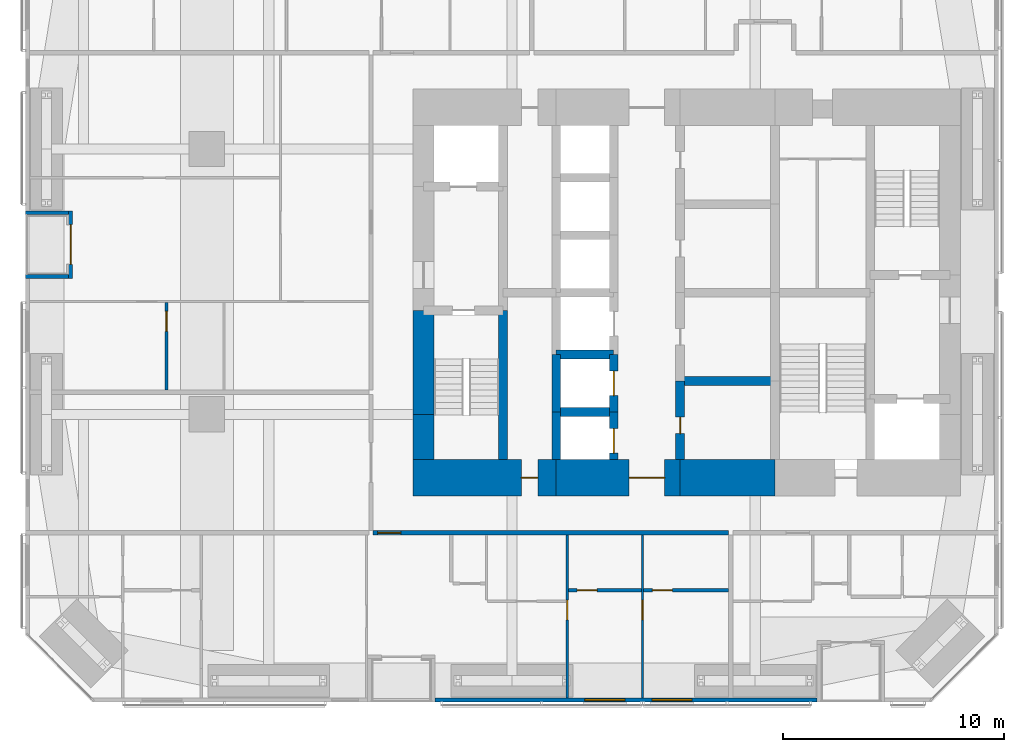
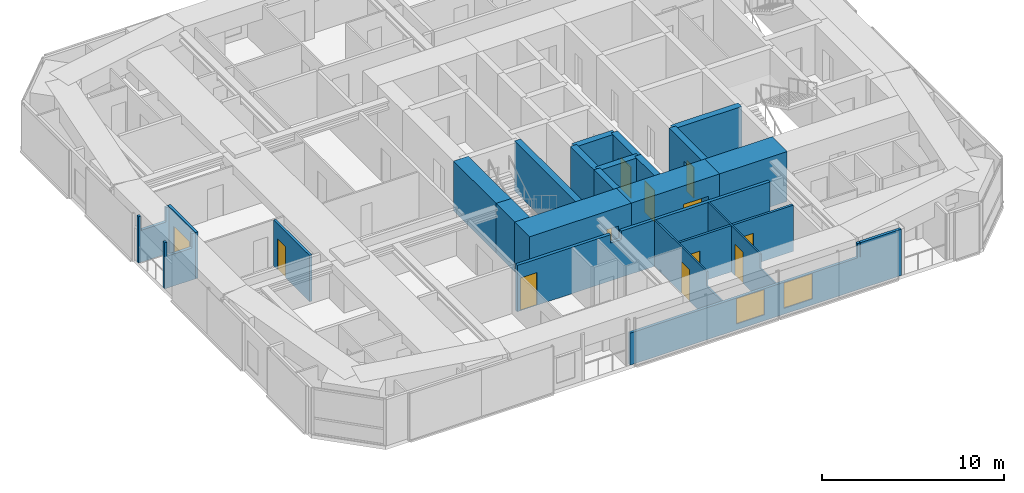
# One storey, part 16 of 22: 24 walls, 12 doors, 2 windows, 14 openings.
"""IFC4 building model written with IfcOpenShell, lengths in metres."""

from ifc_helpers import new_model, si_unit, direction, frame, frame_2d, origin, place, context, subcontext, project, spatial, polyline, rectangle, outline, extrude, material, layer, layer_set, constituent, constituent_set, type_object, element, fill, save


model = new_model("IFC4")

# Units and contexts
model_context = context("Model", 3, precision=1e-05, world=origin(), true_north=direction((0.0, 1.0)))
body_context = subcontext(model_context, "Body", "Model", "MODEL_VIEW")
ifc_project = project(units=[si_unit("LENGTHUNIT", "METRE"), si_unit("AREAUNIT", "SQUARE_METRE"), si_unit("VOLUMEUNIT", "CUBIC_METRE"), si_unit("PLANEANGLEUNIT", "RADIAN"), si_unit("MASSUNIT", "GRAM", prefix="KILO")], contexts=[model_context])

# Site, building, storey
site_placement = place(None, origin())
site = spatial("IfcSite", under=ifc_project, at=site_placement, CompositionType="ELEMENT")
building_placement = place(site_placement, origin())
building = spatial("IfcBuilding", under=site, at=building_placement, Name="Jalousie Tower", CompositionType="ELEMENT")
storey_placement = place(building_placement, frame((0.0, 0.0, 64.550048828125)))
storey = spatial("IfcBuildingStorey", under=building, at=storey_placement, Name="L17", CompositionType="ELEMENT", Elevation=64.550048828125)

# Wall, opening, door
ifc_material_1 = material(Name="Concrete block ASTM C90", Category="concrete")
ifc_constituent_1 = constituent(ifc_material_1, Name="Body")
ifc_material_2 = material(Name="Render")
ifc_constituent_2 = constituent(ifc_material_2, Name="Finish")
ifc_constituent_set_1 = constituent_set(constituents=[ifc_constituent_1, ifc_constituent_2])
wall_type_1 = type_object("IfcWallType", Name="BATHROOM WALL 150", PredefinedType="PLUMBINGWALL", material=ifc_constituent_set_1)
wall_1_placement = place(storey_placement, frame((26.550048828125, 5.050048828125, 0.0), z_axis=(0.0, 0.0, 1.0), x_axis=(1.0, 0.0, 0.0)))
wall_1 = element("IfcWall", 1, at=wall_1_placement, inside=storey, type_object=wall_type_1, Name="Bathroom Wall 150 L17", PredefinedType="PLUMBINGWALL", context=body_context, shape_type="SweptSolid", body=[
    extrude(rectangle(XDim=3.300048828125, YDim=0.14990234375, at=frame_2d((1.64990234375, 0.0))), origin(), (0.0, 0.0, 1.0), 3.10986328125),
])
opening_1_placement = place(wall_1_placement, frame((0.39990234375, 0.0, 0.0)))
opening_1 = element("IfcOpeningElement", 2, at=opening_1_placement, cuts=wall_1, Name="Opening D3", PredefinedType="OPENING", context=body_context, shape_type="SweptSolid", body=[
    extrude(rectangle(XDim=0.89990234375, YDim=2.10009765625, at=frame_2d((0.449951171875, 1.050048828125))), frame((0.0, 0.0849609375, 0.0), z_axis=(0.0, -1.0, 0.0), x_axis=(1.0, 0.0, 0.0)), (0.0, 0.0, 1.0), 0.169921875),
])
ifc_material_3 = material(Name="Timber door", Category="wood")
door_type_1 = type_object("IfcDoorType", Name="BATHROOM DOOR 900", OperationType="SINGLE_SWING_LEFT", PredefinedType="DOOR", material=ifc_material_3)
door_1_placement = place(opening_1_placement, origin())
door_1 = element("IfcDoor", 3, at=door_1_placement, inside=storey, type_object=door_type_1, Name="Apartment 1701 bedroom 3 bathroom door", OperationType="SINGLE_SWING_LEFT", OverallHeight=2.10009765625, OverallWidth=0.89990234375, PredefinedType="DOOR", context=body_context, shape_type="SweptSolid", body=[
    extrude(rectangle(XDim=0.89990234375, YDim=2.10009765625, at=frame_2d((0.449951171875, 1.050048828125))), frame((0.0, 0.02490234375, 0.0), z_axis=(0.0, -1.0, 0.0), x_axis=(1.0, 0.0, 0.0)), (0.0, 0.0, 1.0), 0.050048828125),
])
fill(opening_1, door_1)

wall_2_placement = place(storey_placement, frame((29.949951171875, 5.050048828125, 0.0), z_axis=(0.0, 0.0, 1.0), x_axis=(1.0, 0.0, 0.0)))
wall_2 = element("IfcWall", 4, at=wall_2_placement, inside=storey, type_object=wall_type_1, Name="Bathroom Wall 150 L17", PredefinedType="PLUMBINGWALL", context=body_context, shape_type="SweptSolid", body=[
    extrude(rectangle(XDim=3.85009765625, YDim=0.14990234375, at=frame_2d((1.925048828125, 0.0))), origin(), (0.0, 0.0, 1.0), 3.10986328125),
])
opening_2_placement = place(wall_2_placement, frame((0.39990234375, 0.0, 0.0)))
opening_2 = element("IfcOpeningElement", 5, at=opening_2_placement, cuts=wall_2, Name="Opening D3", PredefinedType="OPENING", context=body_context, shape_type="SweptSolid", body=[
    extrude(rectangle(XDim=0.89990234375, YDim=2.10009765625, at=frame_2d((0.449951171875, 1.050048828125))), frame((0.0, 0.0849609375, 0.0), z_axis=(0.0, -1.0, 0.0), x_axis=(1.0, 0.0, 0.0)), (0.0, 0.0, 1.0), 0.169921875),
])
door_2_placement = place(opening_2_placement, origin())
door_2 = element("IfcDoor", 6, at=door_2_placement, inside=storey, type_object=door_type_1, Name="Apartment 1701 bedroom 4 bathroom door", OperationType="SINGLE_SWING_LEFT", OverallHeight=2.10009765625, OverallWidth=0.89990234375, PredefinedType="DOOR", context=body_context, shape_type="SweptSolid", body=[
    extrude(rectangle(XDim=0.89990234375, YDim=2.10009765625, at=frame_2d((0.449951171875, 1.050048828125))), frame((0.0, 0.02490234375, 0.0), z_axis=(0.0, -1.0, 0.0), x_axis=(1.0, 0.0, 0.0)), (0.0, 0.0, 1.0), 0.050048828125),
])
fill(opening_2, door_2)

wall_3_placement = place(storey_placement, frame((8.375, 14.10009765625, 0.0), z_axis=(0.0, 0.0, 1.0), x_axis=(0.0, 1.0, 0.0)))
wall_3 = element("IfcWall", 7, at=wall_3_placement, inside=storey, type_object=wall_type_1, Name="Bathroom Wall 150 L17", PredefinedType="PLUMBINGWALL", context=body_context, shape_type="SweptSolid", body=[
    extrude(rectangle(XDim=3.949951171875, YDim=0.14990234375, at=frame_2d((1.97509765625, 0.0))), origin(), (0.0, 0.0, 1.0), 3.10986328125),
])
opening_3_placement = place(wall_3_placement, frame((2.64990234375, 0.0, 0.0)))
opening_3 = element("IfcOpeningElement", 8, at=opening_3_placement, cuts=wall_3, Name="Opening D3", PredefinedType="OPENING", context=body_context, shape_type="SweptSolid", body=[
    extrude(rectangle(XDim=0.89990234375, YDim=2.10009765625, at=frame_2d((0.449951171875, 1.050048828125))), frame((0.0, 0.0849609375, 0.0), z_axis=(0.0, -1.0, 0.0), x_axis=(1.0, 0.0, 0.0)), (0.0, 0.0, 1.0), 0.169921875),
])
door_3_placement = place(opening_3_placement, frame((0.89990234375, 0.0, 0.0), z_axis=(0.0, 0.0, 1.0), x_axis=(-1.0, 0.0, 0.0)))
door_3 = element("IfcDoor", 9, at=door_3_placement, inside=storey, type_object=door_type_1, Name="Apartment 1705 bedroom 1 bathroom door", OperationType="SINGLE_SWING_LEFT", OverallHeight=2.10009765625, OverallWidth=0.89990234375, PredefinedType="DOOR", context=body_context, shape_type="SweptSolid", body=[
    extrude(rectangle(XDim=0.89990234375, YDim=2.10009765625, at=frame_2d((0.449951171875, 1.050048828125))), frame((0.0, 0.02490234375, 0.0), z_axis=(0.0, -1.0, 0.0), x_axis=(1.0, 0.0, 0.0)), (0.0, 0.0, 1.0), 0.050048828125),
])
fill(opening_3, door_3)

ifc_material_4 = material(Name="Concrete f'c 120 MPa", Category="concrete")
ifc_layer_1 = layer(ifc_material_4, 1.64990234375)
ifc_layer_set_1 = layer_set([ifc_layer_1], Name="Concrete f'c 120 MPa")
wall_type_2 = type_object("IfcWallType", Name="CORE WALL 1650", PredefinedType="SHEAR", material=ifc_layer_set_1)
wall_4_placement = place(storey_placement, frame((19.52490234375, 10.125, 0.0), z_axis=(0.0, 0.0, 1.0), x_axis=(1.0, 0.0, 0.0)))
wall_4 = element("IfcWall", 10, at=wall_4_placement, inside=storey, type_object=wall_type_2, Name="Core wall SA L17", PredefinedType="SHEAR", context=body_context, shape_type="SweptSolid", body=[
    extrude(rectangle(XDim=6.47509765625, YDim=1.64990234375, at=frame_2d((3.237548828125, 0.0))), origin(), (0.0, 0.0, 1.0), 3.349853515625),
])
opening_4_placement = place(wall_4_placement, frame((4.89990234375, 0.0, 0.0)))
opening_4 = element("IfcOpeningElement", 11, at=opening_4_placement, cuts=wall_4, Name="Opening D16", PredefinedType="OPENING", context=body_context, shape_type="SweptSolid", body=[
    extrude(rectangle(XDim=0.75, YDim=2.10009765625, at=frame_2d((0.375, 1.050048828125))), frame((0.0, 0.8349609375, 0.0), z_axis=(0.0, -1.0, 0.0), x_axis=(1.0, 0.0, 0.0)), (0.0, 0.0, 1.0), 1.669921875),
])
ifc_material_5 = material(Name="Steel fire door", Category="steel")
door_type_2 = type_object("IfcDoorType", Name="RISER DOOR 750", OperationType="SINGLE_SWING_LEFT", PredefinedType="DOOR", material=ifc_material_5)
door_4_placement = place(opening_4_placement, origin())
door_4 = element("IfcDoor", 12, at=door_4_placement, inside=storey, type_object=door_type_2, Name="South riser door", OperationType="SINGLE_SWING_LEFT", OverallHeight=2.10009765625, OverallWidth=0.75, PredefinedType="DOOR", context=body_context, shape_type="SweptSolid", body=[
    extrude(rectangle(XDim=0.75, YDim=2.10009765625, at=frame_2d((0.375, 1.050048828125))), frame((0.0, 0.02490234375, 0.0), z_axis=(0.0, -1.0, 0.0), x_axis=(1.0, 0.0, 0.0)), (0.0, 0.0, 1.0), 0.050048828125),
])
fill(opening_4, door_4)

wall_5_placement = place(storey_placement, frame((26.0, 10.125, 0.0), z_axis=(0.0, 0.0, 1.0), x_axis=(1.0, 0.0, 0.0)))
wall_5 = element("IfcWall", 13, at=wall_5_placement, inside=storey, type_object=wall_type_2, Name="Core wall SB L17", PredefinedType="SHEAR", context=body_context, shape_type="SweptSolid", body=[
    extrude(rectangle(XDim=5.60009765625, YDim=1.64990234375, at=frame_2d((2.800048828125, 0.0))), origin(), (0.0, 0.0, 1.0), 3.349853515625),
])
opening_5_placement = place(wall_5_placement, frame((3.300048828125, 0.0, 0.0)))
opening_5 = element("IfcOpeningElement", 14, at=opening_5_placement, cuts=wall_5, Name="Opening D15", PredefinedType="OPENING", context=body_context, shape_type="SweptSolid", body=[
    extrude(rectangle(XDim=1.60009765625, YDim=2.10009765625, at=frame_2d((0.800048828125, 1.050048828125))), frame((0.0, 0.8349609375, 0.0), z_axis=(0.0, -1.0, 0.0), x_axis=(1.0, 0.0, 0.0)), (0.0, 0.0, 1.0), 1.669921875),
])
ifc_material_6 = material(Name="Steel fire door", Category="steel")
door_type_3 = type_object("IfcDoorType", Name="LIFT LOBBY DOOR 1600", OperationType="DOUBLE_DOOR_SINGLE_SWING", PredefinedType="DOOR", material=ifc_material_6)
door_5_placement = place(opening_5_placement, origin())
door_5 = element("IfcDoor", 15, at=door_5_placement, inside=storey, type_object=door_type_3, Name="Lift lobby south door", OperationType="DOUBLE_DOOR_SINGLE_SWING", OverallHeight=2.10009765625, OverallWidth=1.60009765625, PredefinedType="DOOR", context=body_context, shape_type="SweptSolid", body=[
    extrude(rectangle(XDim=1.60009765625, YDim=2.10009765625, at=frame_2d((0.800048828125, 1.050048828125))), frame((0.0, 0.02490234375, 0.0), z_axis=(0.0, -1.0, 0.0), x_axis=(1.0, 0.0, 0.0)), (0.0, 0.0, 1.0), 0.050048828125),
])
fill(opening_5, door_5)

# Walls
wall_6_placement = place(storey_placement, frame((31.60009765625, 10.125, 0.0), z_axis=(0.0, 0.0, 1.0), x_axis=(1.0, 0.0, 0.0)))
element("IfcWall", 16, at=wall_6_placement, inside=storey, type_object=wall_type_2, Name="Core wall SC L17", PredefinedType="SHEAR", context=body_context, shape_type="SweptSolid", body=[
    extrude(rectangle(XDim=4.2998046875, YDim=1.64990234375, at=frame_2d((2.14990234375, 0.0))), origin(), (0.0, 0.0, 1.0), 3.349853515625),
])
ifc_material_7 = material(Name="Concrete f'c 120 MPa", Category="concrete")
ifc_layer_2 = layer(ifc_material_7, 0.39990234375)
ifc_layer_set_2 = layer_set([ifc_layer_2], Name="Concrete f'c 120 MPa")
wall_type_3 = type_object("IfcWallType", Name="CORE WALL 400", PredefinedType="SHEAR", material=ifc_layer_set_2)
wall_7_placement = place(storey_placement, frame((23.60009765625, 10.949951171875, 0.0), z_axis=(0.0, 0.0, 1.0), x_axis=(0.0, 1.0, 0.0)))
element("IfcWall", 17, at=wall_7_placement, inside=storey, type_object=wall_type_3, Name="Core wall X23.6A L17", PredefinedType="SHEAR", context=body_context, shape_type="SweptSolid", body=[
    extrude(rectangle(XDim=6.75, YDim=0.39990234375, at=frame_2d((3.375, 0.0))), origin(), (0.0, 0.0, 1.0), 3.349853515625),
])
wall_8_placement = place(storey_placement, frame((26.0, 10.949951171875, 0.0), z_axis=(0.0, 0.0, 1.0), x_axis=(0.0, 1.0, 0.0)))
element("IfcWall", 18, at=wall_8_placement, inside=storey, type_object=wall_type_3, Name="Core wall X26A L17", PredefinedType="SHEAR", context=body_context, shape_type="SweptSolid", body=[
    extrude(rectangle(XDim=2.150146484375, YDim=0.39990234375, at=frame_2d((1.0751953125, 0.0))), origin(), (0.0, 0.0, 1.0), 3.349853515625),
])
wall_9_placement = place(storey_placement, frame((26.0, 13.10009765625, 0.0), z_axis=(0.0, 0.0, 1.0), x_axis=(0.0, 1.0, 0.0)))
element("IfcWall", 19, at=wall_9_placement, inside=storey, type_object=wall_type_3, Name="Core wall X26B L17", PredefinedType="SHEAR", context=body_context, shape_type="SweptSolid", body=[
    extrude(rectangle(XDim=2.599853515625, YDim=0.39990234375, at=frame_2d((1.2998046875, 0.0))), origin(), (0.0, 0.0, 1.0), 3.349853515625),
])

# Wall, opening, door
wall_10_placement = place(storey_placement, frame((28.60009765625, 10.949951171875, 0.0), z_axis=(0.0, 0.0, 1.0), x_axis=(0.0, 1.0, 0.0)))
wall_10 = element("IfcWall", 20, at=wall_10_placement, inside=storey, type_object=wall_type_3, Name="Core wall X28.6A L17", PredefinedType="SHEAR", context=body_context, shape_type="SweptSolid", body=[
    extrude(rectangle(XDim=2.150146484375, YDim=0.39990234375, at=frame_2d((1.0751953125, 0.0))), origin(), (0.0, 0.0, 1.0), 3.349853515625),
])
opening_6_placement = place(wall_10_placement, frame((0.300048828125, 0.0, 0.0)))
opening_6 = element("IfcOpeningElement", 21, at=opening_6_placement, cuts=wall_10, Name="Opening LD1", PredefinedType="OPENING", context=body_context, shape_type="SweptSolid", body=[
    extrude(rectangle(XDim=1.10009765625, YDim=2.10009765625, at=frame_2d((0.550048828125, 1.050048828125))), frame((0.0, 0.2099609375, 0.0), z_axis=(0.0, -1.0, 0.0), x_axis=(1.0, 0.0, 0.0)), (0.0, 0.0, 1.0), 0.419921875),
])
ifc_material_8 = material(Name="Steel lift landing door", Category="steel")
door_type_4 = type_object("IfcDoorType", Name="LIFT LANDING DOOR 1100", OperationType="SLIDING_TO_LEFT", PredefinedType="DOOR", material=ifc_material_8)
door_6_placement = place(opening_6_placement, origin())
door_6 = element("IfcDoor", 22, at=door_6_placement, inside=storey, type_object=door_type_4, Name="Lift P1 landing door", OperationType="SLIDING_TO_LEFT", OverallHeight=2.10009765625, OverallWidth=1.10009765625, PredefinedType="DOOR", context=body_context, shape_type="SweptSolid", body=[
    extrude(rectangle(XDim=1.10009765625, YDim=2.10009765625, at=frame_2d((0.550048828125, 1.050048828125))), frame((0.0, 0.02490234375, 0.0), z_axis=(0.0, -1.0, 0.0), x_axis=(1.0, 0.0, 0.0)), (0.0, 0.0, 1.0), 0.050048828125),
])
fill(opening_6, door_6)

wall_11_placement = place(storey_placement, frame((28.60009765625, 13.10009765625, 0.0), z_axis=(0.0, 0.0, 1.0), x_axis=(0.0, 1.0, 0.0)))
wall_11 = element("IfcWall", 23, at=wall_11_placement, inside=storey, type_object=wall_type_3, Name="Core wall X28.6B L17", PredefinedType="SHEAR", context=body_context, shape_type="SweptSolid", body=[
    extrude(rectangle(XDim=2.599853515625, YDim=0.39990234375, at=frame_2d((1.2998046875, 0.0))), origin(), (0.0, 0.0, 1.0), 3.349853515625),
])
opening_7_placement = place(wall_11_placement, frame((0.75, 0.0, 0.0)))
opening_7 = element("IfcOpeningElement", 24, at=opening_7_placement, cuts=wall_11, Name="Opening LD1", PredefinedType="OPENING", context=body_context, shape_type="SweptSolid", body=[
    extrude(rectangle(XDim=1.10009765625, YDim=2.10009765625, at=frame_2d((0.550048828125, 1.050048828125))), frame((0.0, 0.2099609375, 0.0), z_axis=(0.0, -1.0, 0.0), x_axis=(1.0, 0.0, 0.0)), (0.0, 0.0, 1.0), 0.419921875),
])
door_7_placement = place(opening_7_placement, origin())
door_7 = element("IfcDoor", 25, at=door_7_placement, inside=storey, type_object=door_type_4, Name="Lift P2 landing door", OperationType="SLIDING_TO_LEFT", OverallHeight=2.10009765625, OverallWidth=1.10009765625, PredefinedType="DOOR", context=body_context, shape_type="SweptSolid", body=[
    extrude(rectangle(XDim=1.10009765625, YDim=2.10009765625, at=frame_2d((0.550048828125, 1.050048828125))), frame((0.0, 0.02490234375, 0.0), z_axis=(0.0, -1.0, 0.0), x_axis=(1.0, 0.0, 0.0)), (0.0, 0.0, 1.0), 0.050048828125),
])
fill(opening_7, door_7)

wall_12_placement = place(storey_placement, frame((31.60009765625, 10.949951171875, 0.0), z_axis=(0.0, 0.0, 1.0), x_axis=(0.0, 1.0, 0.0)))
wall_12 = element("IfcWall", 26, at=wall_12_placement, inside=storey, type_object=wall_type_3, Name="Core wall X31.6A L17", PredefinedType="SHEAR", context=body_context, shape_type="SweptSolid", body=[
    extrude(rectangle(XDim=3.550048828125, YDim=0.39990234375, at=frame_2d((1.77490234375, 0.0))), origin(), (0.0, 0.0, 1.0), 3.349853515625),
])
opening_8_placement = place(wall_12_placement, frame((1.175048828125, 0.0, 0.0)))
opening_8 = element("IfcOpeningElement", 27, at=opening_8_placement, cuts=wall_12, Name="Opening D16", PredefinedType="OPENING", context=body_context, shape_type="SweptSolid", body=[
    extrude(rectangle(XDim=0.75, YDim=2.10009765625, at=frame_2d((0.375, 1.050048828125))), frame((0.0, 0.2099609375, 0.0), z_axis=(0.0, -1.0, 0.0), x_axis=(1.0, 0.0, 0.0)), (0.0, 0.0, 1.0), 0.419921875),
])
door_8_placement = place(opening_8_placement, frame((0.75, 0.0, 0.0), z_axis=(0.0, 0.0, 1.0), x_axis=(-1.0, 0.0, 0.0)))
door_8 = element("IfcDoor", 28, at=door_8_placement, inside=storey, type_object=door_type_2, Name="Refuse Room door", OperationType="SINGLE_SWING_RIGHT", OverallHeight=2.10009765625, OverallWidth=0.75, PredefinedType="DOOR", context=body_context, shape_type="SweptSolid", body=[
    extrude(rectangle(XDim=0.75, YDim=2.10009765625, at=frame_2d((0.375, 1.050048828125))), frame((0.0, 0.02490234375, 0.0), z_axis=(0.0, -1.0, 0.0), x_axis=(1.0, 0.0, 0.0)), (0.0, 0.0, 1.0), 0.050048828125),
])
fill(opening_8, door_8)

# Walls
for number, where, z_axis, x_axis, name in (
    (29, (26.0, 13.10009765625, 0.0), (0.0, 0.0, 1.0), (1.0, 0.0, 0.0), "Core wall Y26-13.1 L17"),
    (30, (26.0, 15.699951171875, 0.0), (0.0, 0.0, 1.0), (1.0, 0.0, 0.0), "Core wall Y26-15.7 L17"),
):
    element("IfcWall", number, at=place(storey_placement, frame(where, z_axis=z_axis, x_axis=x_axis)), inside=storey, type_object=wall_type_3, Name=name, PredefinedType="SHEAR", context=body_context, shape_type="SweptSolid", body=[
        extrude(rectangle(XDim=2.60009765625, YDim=0.39990234375, at=frame_2d((1.300048828125, 0.0))), origin(), (0.0, 0.0, 1.0), 3.349853515625),
    ])
wall_13_placement = place(storey_placement, frame((31.60009765625, 14.5, 0.0), z_axis=(0.0, 0.0, 1.0), x_axis=(1.0, 0.0, 0.0)))
element("IfcWall", 31, at=wall_13_placement, inside=storey, type_object=wall_type_3, Name="Core wall Y31.6-14.5 L17", PredefinedType="SHEAR", context=body_context, shape_type="SweptSolid", body=[
    extrude(rectangle(XDim=4.2998046875, YDim=0.39990234375, at=frame_2d((2.14990234375, 0.0))), origin(), (0.0, 0.0, 1.0), 3.349853515625),
])
ifc_material_9 = material(Name="Concrete f'c 120 MPa", Category="concrete")
ifc_layer_3 = layer(ifc_material_9, 0.949951171875)
ifc_layer_set_3 = layer_set([ifc_layer_3], Name="Concrete f'c 120 MPa")
wall_type_4 = type_object("IfcWallType", Name="CORE WALL 950", PredefinedType="SHEAR", material=ifc_layer_set_3)
wall_14_placement = place(storey_placement, frame((20.0, 17.699951171875, 0.0), z_axis=(0.0, 0.0, 1.0), x_axis=(0.0, -1.0, 0.0)))
element("IfcWall", 32, at=wall_14_placement, inside=storey, type_object=wall_type_4, Name="Core wall WC L17", PredefinedType="SHEAR", context=body_context, shape_type="SweptSolid", body=[
    extrude(rectangle(XDim=4.699951171875, YDim=0.949951171875, at=frame_2d((2.35009765625, 0.0))), origin(), (0.0, 0.0, 1.0), 3.349853515625),
])
wall_15_placement = place(storey_placement, frame((20.0, 13.0, 0.0), z_axis=(0.0, 0.0, 1.0), x_axis=(0.0, -1.0, 0.0)))
element("IfcWall", 33, at=wall_15_placement, inside=storey, type_object=wall_type_4, Name="Core wall WD L17", PredefinedType="SHEAR", context=body_context, shape_type="SweptSolid", body=[
    extrude(rectangle(XDim=2.050048828125, YDim=0.949951171875, at=frame_2d((1.02490234375, 0.0))), origin(), (0.0, 0.0, 1.0), 3.349853515625),
])

# Wall, opening, door
ifc_material_10 = material(Name="Concrete block ASTM C90", Category="concrete")
ifc_constituent_3 = constituent(ifc_material_10, Name="Body")
ifc_material_11 = material(Name="Render")
ifc_constituent_4 = constituent(ifc_material_11, Name="Finish")
ifc_constituent_set_2 = constituent_set(constituents=[ifc_constituent_3, ifc_constituent_4])
wall_type_5 = type_object("IfcWallType", Name="CORRIDOR WALL 200", PredefinedType="PARTITIONING", material=ifc_constituent_set_2)
wall_16_placement = place(storey_placement, frame((17.72509765625, 7.64990234375, 0.0), z_axis=(0.0, 0.0, 1.0), x_axis=(1.0, 0.0, 0.0)))
wall_16 = element("IfcWall", 34, at=wall_16_placement, inside=storey, type_object=wall_type_5, Name="Corridor Wall 200 L17", PredefinedType="PARTITIONING", context=body_context, shape_type="SweptSolid", body=[
    extrude(outline(polyline([(0.0, 0.0), (16.074951171875, 0.0), (16.074951171875, 3.10986328125), (6.6123046875, 3.10986328125), (6.6123046875, 2.541015625), (5.9375, 2.541015625), (5.9375, 3.10986328125), (0.0, 3.10986328125), (0.0, 0.0)])), frame((0.0, 0.10009765625, 0.0), z_axis=(0.0, -1.0, 0.0), x_axis=(1.0, 0.0, 0.0)), (0.0, 0.0, 1.0), 0.199951171875),
])
opening_9_placement = place(wall_16_placement, frame((0.199951171875, 0.0, 0.0)))
opening_9 = element("IfcOpeningElement", 35, at=opening_9_placement, cuts=wall_16, Name="Opening D1", PredefinedType="OPENING", context=body_context, shape_type="SweptSolid", body=[
    extrude(rectangle(XDim=1.050048828125, YDim=2.199951171875, at=frame_2d((0.52490234375, 1.10009765625))), frame((0.0, 0.10986328125, 0.0), z_axis=(0.0, -1.0, 0.0), x_axis=(1.0, 0.0, 0.0)), (0.0, 0.0, 1.0), 0.219970703125),
])
ifc_material_12 = material(Name="Timber fire door", Category="wood")
door_type_5 = type_object("IfcDoorType", Name="APARTMENT ENTRANCE DOOR 1050", OperationType="SINGLE_SWING_LEFT", PredefinedType="DOOR", material=ifc_material_12)
door_9_placement = place(opening_9_placement, frame((1.050048828125, 0.0, 0.0), z_axis=(0.0, 0.0, 1.0), x_axis=(-1.0, 0.0, 0.0)))
door_9 = element("IfcDoor", 36, at=door_9_placement, inside=storey, type_object=door_type_5, Name="Apartment 1701 entrance", OperationType="SINGLE_SWING_RIGHT", OverallHeight=2.199951171875, OverallWidth=1.050048828125, PredefinedType="DOOR", context=body_context, shape_type="SweptSolid", body=[
    extrude(rectangle(XDim=1.050048828125, YDim=2.199951171875, at=frame_2d((0.52490234375, 1.10009765625))), frame((0.0, 0.02490234375, 0.0), z_axis=(0.0, -1.0, 0.0), x_axis=(1.0, 0.0, 0.0)), (0.0, 0.0, 1.0), 0.050048828125),
])
fill(opening_9, door_9)

# Wall, openings, windows
ifc_material_13 = material(Name="Concrete f'c 40 MPa", Category="concrete")
ifc_constituent_5 = constituent(ifc_material_13, Name="Body")
ifc_material_14 = material(Name="Render, pastel coral")
ifc_constituent_6 = constituent(ifc_material_14, Name="Finish")
ifc_constituent_set_3 = constituent_set(constituents=[ifc_constituent_5, ifc_constituent_6])
wall_type_6 = type_object("IfcWallType", Name="EXTERNAL WALL 175 CORAL RENDER", PredefinedType="SOLIDWALL", material=ifc_constituent_set_3)
wall_17_placement = place(storey_placement, frame((20.52490234375, 0.08740234375, 0.0), z_axis=(0.0, 0.0, 1.0), x_axis=(1.0, 0.0, 0.0)))
wall_17 = element("IfcWall", 37, at=wall_17_placement, inside=storey, type_object=wall_type_6, Name="External Wall 175 Coral Render L17", PredefinedType="SOLIDWALL", context=body_context, shape_type="SweptSolid", body=[
    extrude(outline(polyline([(0.0, 0.0), (17.275146484375, 0.0), (17.27490234375, 3.10986328125), (14.678955078125, 3.10986328125), (14.678955078125, 2.14990234375), (14.630615234375, 2.14990234375), (14.630615234375, 3.10986328125), (14.47509765625, 3.10986328125), (14.47509765625, 2.14990234375), (0.0, 2.14990234375), (0.0, 0.0)])), frame((0.0, 0.08740234375, 0.0), z_axis=(0.0, -1.0, 0.0), x_axis=(1.0, 0.0, 0.0)), (0.0, 0.0, 1.0), 0.175048828125),
])
opening_10_placement = place(wall_17_placement, frame((6.77490234375, 0.0, 0.39990234375)))
opening_10 = element("IfcOpeningElement", 38, at=opening_10_placement, cuts=wall_17, Name="Opening W-BED170", PredefinedType="OPENING", context=body_context, shape_type="SweptSolid", body=[
    extrude(rectangle(XDim=1.800048828125, YDim=1.699951171875, at=frame_2d((0.89990234375, 0.85009765625))), frame((0.0, 0.097412109375, 0.0), z_axis=(0.0, -1.0, 0.0), x_axis=(1.0, 0.0, 0.0)), (0.0, 0.0, 1.0), 0.195068359375),
])
opening_11_placement = place(wall_17_placement, frame((9.81005859375, 0.0, 0.39990234375)))
opening_11 = element("IfcOpeningElement", 39, at=opening_11_placement, cuts=wall_17, Name="Opening W-BED170", PredefinedType="OPENING", context=body_context, shape_type="SweptSolid", body=[
    extrude(rectangle(XDim=1.800048828125, YDim=1.699951171875, at=frame_2d((0.89990234375, 0.85009765625))), frame((0.0, 0.097412109375, 0.0), z_axis=(0.0, -1.0, 0.0), x_axis=(1.0, 0.0, 0.0)), (0.0, 0.0, 1.0), 0.195068359375),
])
ifc_material_15 = material(Name="Aluminium frame, impact-rated glazing", Category="aluminium")
window_type = type_object("IfcWindowType", Name="WINDOW BED 1800x1700", PartitioningType="SINGLE_PANEL", PredefinedType="WINDOW", material=ifc_material_15)
window_1_placement = place(opening_10_placement, origin())
window_1 = element("IfcWindow", 40, at=window_1_placement, inside=storey, type_object=window_type, Name="Apartment 1701 bedroom 3 window", OverallHeight=1.699951171875, OverallWidth=1.800048828125, PartitioningType="SINGLE_PANEL", PredefinedType="WINDOW", context=body_context, shape_type="SweptSolid", body=[
    extrude(rectangle(XDim=1.800048828125, YDim=1.699951171875, at=frame_2d((0.89990234375, 0.85009765625))), frame((0.0, 0.030029296875, 0.0), z_axis=(0.0, -1.0, 0.0), x_axis=(1.0, 0.0, 0.0)), (0.0, 0.0, 1.0), 0.06005859375),
])
fill(opening_10, window_1)
window_2_placement = place(opening_11_placement, origin())
window_2 = element("IfcWindow", 41, at=window_2_placement, inside=storey, type_object=window_type, Name="Apartment 1701 bedroom 4 window", OverallHeight=1.699951171875, OverallWidth=1.800048828125, PartitioningType="SINGLE_PANEL", PredefinedType="WINDOW", context=body_context, shape_type="SweptSolid", body=[
    extrude(rectangle(XDim=1.800048828125, YDim=1.699951171875, at=frame_2d((0.89990234375, 0.85009765625))), frame((0.0, 0.030029296875, 0.0), z_axis=(0.0, -1.0, 0.0), x_axis=(1.0, 0.0, 0.0)), (0.0, 0.0, 1.0), 0.06005859375),
])
fill(opening_11, window_2)

# Wall, opening, door
wall_18_placement = place(storey_placement, frame((4.03759765625, 22.199951171875, 0.0), z_axis=(0.0, 0.0, 1.0), x_axis=(0.0, -1.0, 0.0)))
wall_18 = element("IfcWall", 42, at=wall_18_placement, inside=storey, type_object=wall_type_6, Name="External Wall 175 Coral Render L17", PredefinedType="SOLIDWALL", context=body_context, shape_type="SweptSolid", body=[
    extrude(rectangle(XDim=3.050048828125, YDim=0.175048828125, at=frame_2d((1.52490234375, 0.0))), origin(), (0.0, 0.0, 1.0), 3.10986328125),
])
opening_12_placement = place(wall_18_placement, frame((0.625, 0.0, 0.0)))
opening_12 = element("IfcOpeningElement", 43, at=opening_12_placement, cuts=wall_18, Name="Opening D-BAL21", PredefinedType="OPENING", context=body_context, shape_type="SweptSolid", body=[
    extrude(rectangle(XDim=1.800048828125, YDim=2.10009765625, at=frame_2d((0.89990234375, 1.050048828125))), frame((0.0, 0.097412109375, 0.0), z_axis=(0.0, -1.0, 0.0), x_axis=(1.0, 0.0, 0.0)), (0.0, 0.0, 1.0), 0.195068359375),
])
ifc_material_16 = material(Name="Aluminium frame, impact-rated glazing", Category="aluminium")
door_type_6 = type_object("IfcDoorType", Name="BALCONY DOOR 1800x2100", OperationType="SLIDING_TO_LEFT", PredefinedType="DOOR", material=ifc_material_16)
door_10_placement = place(opening_12_placement, origin())
door_10 = element("IfcDoor", 44, at=door_10_placement, inside=storey, type_object=door_type_6, Name="Apartment 1705 living room loggia door", OperationType="SLIDING_TO_LEFT", OverallHeight=2.10009765625, OverallWidth=1.800048828125, PredefinedType="DOOR", context=body_context, shape_type="SweptSolid", body=[
    extrude(rectangle(XDim=1.800048828125, YDim=2.10009765625, at=frame_2d((0.89990234375, 1.050048828125))), frame((0.0, 0.02490234375, 0.0), z_axis=(0.0, -1.0, 0.0), x_axis=(1.0, 0.0, 0.0)), (0.0, 0.0, 1.0), 0.050048828125),
])
fill(opening_12, door_10)

# Walls
for number, where, z_axis, x_axis, name in (
    (45, (2.0, 22.112548828125, 0.0), (0.0, 0.0, 1.0), (1.0, 0.0, 0.0), "External Wall 175 Coral Render L17"),
    (46, (2.0, 19.237548828125, 0.0), (0.0, 0.0, 1.0), (1.0, 0.0, 0.0), "External Wall 175 Coral Render L17"),
):
    element("IfcWall", number, at=place(storey_placement, frame(where, z_axis=z_axis, x_axis=x_axis)), inside=storey, type_object=wall_type_6, Name=name, PredefinedType="SOLIDWALL", context=body_context, shape_type="SweptSolid", body=[
        extrude(outline(polyline([(0.0, 0.0), (1.949951171875, 0.0), (1.949951171875, 3.10986328125), (1.75, 3.10986328125), (1.75, 2.14990234375), (0.14990234375, 2.14990234375), (0.14990234375, 3.10986328125), (0.0, 3.10986328125), (0.0, 0.0)])), frame((0.0, 0.08740234375, 0.0), z_axis=(0.0, -1.0, 0.0), x_axis=(1.0, 0.0, 0.0)), (0.0, 0.0, 1.0), 0.175048828125),
    ])

# Wall, opening, door
ifc_material_17 = material(Name="Gypsum board", Category="gypsum")
ifc_constituent_7 = constituent(ifc_material_17, Name="Body")
ifc_material_18 = material(Name="Light-gauge steel studs ASTM A653 SS Grade 33", Category="steel")
ifc_constituent_8 = constituent(ifc_material_18, Name="Framing")
ifc_constituent_set_4 = constituent_set(constituents=[ifc_constituent_7, ifc_constituent_8])
wall_type_7 = type_object("IfcWallType", Name="PARTITION 100", PredefinedType="PARTITIONING", material=ifc_constituent_set_4)
wall_19_placement = place(storey_placement, frame((26.5, 0.175048828125, 0.0), z_axis=(0.0, 0.0, 1.0), x_axis=(0.0, 1.0, 0.0)))
wall_19 = element("IfcWall", 47, at=wall_19_placement, inside=storey, type_object=wall_type_7, Name="Partition 100 L17", PredefinedType="PARTITIONING", context=body_context, shape_type="SweptSolid", body=[
    extrude(outline(polyline([(0.0, 0.0), (7.375, 0.0), (7.375, 3.10986328125), (1.635009765625, 3.10986328125), (1.635009765625, 2.14990234375), (0.0, 2.14990234375), (0.0, 3.10986328125), (0.0, 0.0)])), frame((0.0, 0.050048828125, 0.0), z_axis=(0.0, -1.0, 0.0), x_axis=(1.0, 0.0, 0.0)), (0.0, 0.0, 1.0), 0.10009765625),
])
opening_13_placement = place(wall_19_placement, frame((3.52490234375, 0.0, 0.0)))
opening_13 = element("IfcOpeningElement", 48, at=opening_13_placement, cuts=wall_19, Name="Opening D2", PredefinedType="OPENING", context=body_context, shape_type="SweptSolid", body=[
    extrude(rectangle(XDim=0.89990234375, YDim=2.10009765625, at=frame_2d((0.449951171875, 1.050048828125))), frame((0.0, 0.06005859375, 0.0), z_axis=(0.0, -1.0, 0.0), x_axis=(1.0, 0.0, 0.0)), (0.0, 0.0, 1.0), 0.1201171875),
])
ifc_material_19 = material(Name="Timber door", Category="wood")
door_type_7 = type_object("IfcDoorType", Name="BEDROOM DOOR 900", OperationType="SINGLE_SWING_LEFT", PredefinedType="DOOR", material=ifc_material_19)
door_11_placement = place(opening_13_placement, frame((0.89990234375, 0.0, 0.0), z_axis=(0.0, 0.0, 1.0), x_axis=(-1.0, 0.0, 0.0)))
door_11 = element("IfcDoor", 49, at=door_11_placement, inside=storey, type_object=door_type_7, Name="Apartment 1701 bedroom 3 door", OperationType="SINGLE_SWING_LEFT", OverallHeight=2.10009765625, OverallWidth=0.89990234375, PredefinedType="DOOR", context=body_context, shape_type="SweptSolid", body=[
    extrude(rectangle(XDim=0.89990234375, YDim=2.10009765625, at=frame_2d((0.449951171875, 1.050048828125))), frame((0.0, 0.02490234375, 0.0), z_axis=(0.0, -1.0, 0.0), x_axis=(1.0, 0.0, 0.0)), (0.0, 0.0, 1.0), 0.050048828125),
])
fill(opening_13, door_11)

wall_20_placement = place(storey_placement, frame((29.89990234375, 0.175048828125, 0.0), z_axis=(0.0, 0.0, 1.0), x_axis=(0.0, 1.0, 0.0)))
wall_20 = element("IfcWall", 50, at=wall_20_placement, inside=storey, type_object=wall_type_7, Name="Partition 100 L17", PredefinedType="PARTITIONING", context=body_context, shape_type="SweptSolid", body=[
    extrude(outline(polyline([(0.0, 0.0), (7.375, 0.0), (7.375, 3.10986328125), (1.635009765625, 3.10986328125), (1.635009765625, 2.14990234375), (0.0, 2.14990234375), (0.0, 3.10986328125), (0.0, 0.0)])), frame((0.0, 0.050048828125, 0.0), z_axis=(0.0, -1.0, 0.0), x_axis=(1.0, 0.0, 0.0)), (0.0, 0.0, 1.0), 0.10009765625),
])
opening_14_placement = place(wall_20_placement, frame((3.52490234375, 0.0, 0.0)))
opening_14 = element("IfcOpeningElement", 51, at=opening_14_placement, cuts=wall_20, Name="Opening D2", PredefinedType="OPENING", context=body_context, shape_type="SweptSolid", body=[
    extrude(rectangle(XDim=0.89990234375, YDim=2.10009765625, at=frame_2d((0.449951171875, 1.050048828125))), frame((0.0, 0.06005859375, 0.0), z_axis=(0.0, -1.0, 0.0), x_axis=(1.0, 0.0, 0.0)), (0.0, 0.0, 1.0), 0.1201171875),
])
door_12_placement = place(opening_14_placement, frame((0.89990234375, 0.0, 0.0), z_axis=(0.0, 0.0, 1.0), x_axis=(-1.0, 0.0, 0.0)))
door_12 = element("IfcDoor", 52, at=door_12_placement, inside=storey, type_object=door_type_7, Name="Apartment 1701 bedroom 4 door", OperationType="SINGLE_SWING_LEFT", OverallHeight=2.10009765625, OverallWidth=0.89990234375, PredefinedType="DOOR", context=body_context, shape_type="SweptSolid", body=[
    extrude(rectangle(XDim=0.89990234375, YDim=2.10009765625, at=frame_2d((0.449951171875, 1.050048828125))), frame((0.0, 0.02490234375, 0.0), z_axis=(0.0, -1.0, 0.0), x_axis=(1.0, 0.0, 0.0)), (0.0, 0.0, 1.0), 0.050048828125),
])
fill(opening_14, door_12)

save(model, "model.ifc")
